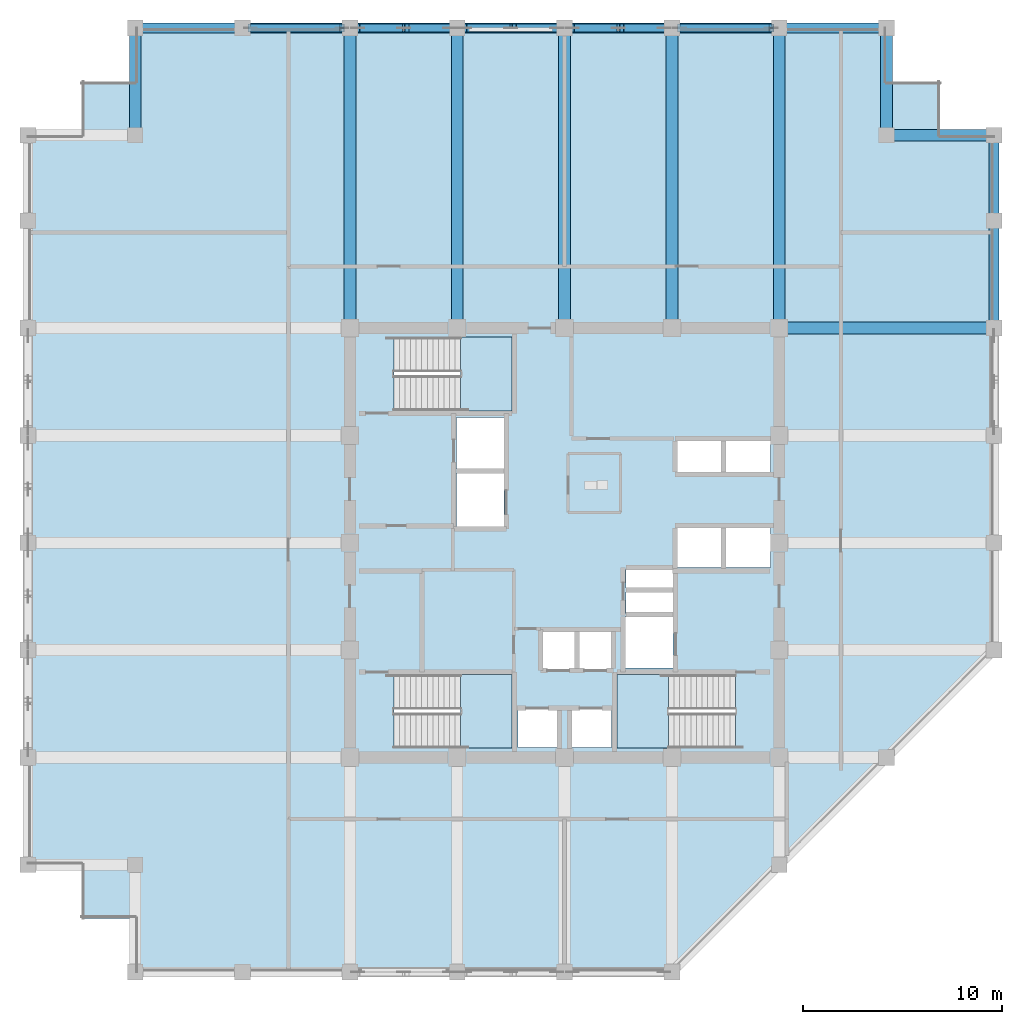
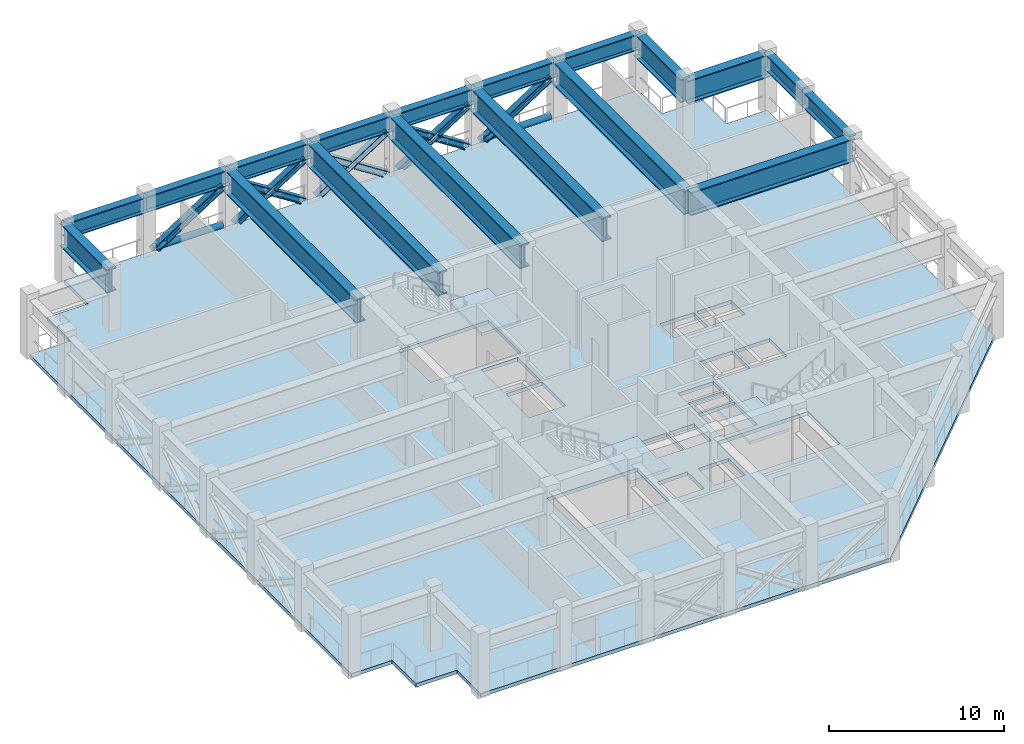
# One storey, part 2 of 11: 18 beams, 13 members, 4 slabs, 3 elements without a shape of their own.
"""IFC4 building model written with IfcOpenShell, lengths in metres."""

from ifc_helpers import new_model, si_unit, direction, frame, origin, origin_2d, place, context, subcontext, project, spatial, polyline, hollow_circle, i_section, outline, extrude, material, layer, layer_set, material_profile, profile_set, type_object, element, aggregate, save


model = new_model("IFC4")

# Units and contexts
model_context = context("Model", 3, precision=1e-05, world=origin(), true_north=direction((0.0, 1.0)))
body_context = subcontext(model_context, "Body", "Model", "MODEL_VIEW")
ifc_project = project(units=[si_unit("LENGTHUNIT", "METRE"), si_unit("AREAUNIT", "SQUARE_METRE"), si_unit("VOLUMEUNIT", "CUBIC_METRE"), si_unit("PLANEANGLEUNIT", "RADIAN"), si_unit("MASSUNIT", "GRAM", prefix="KILO")], contexts=[model_context])

# Site, building, storey
site_placement = place(None, origin())
site = spatial("IfcSite", under=ifc_project, at=site_placement, CompositionType="ELEMENT")
building_placement = place(site_placement, origin())
building = spatial("IfcBuilding", under=site, at=building_placement, Name="Surkhivell Harbour Commons", CompositionType="ELEMENT")
storey_placement = place(building_placement, frame((0.0, 0.0, 254.25)))
storey = spatial("IfcBuildingStorey", under=building, at=storey_placement, Name="L66", CompositionType="ELEMENT", Elevation=254.25)

# Beams
ifc_material_1 = material(Name="Steel S460", Category="steel")
ifc_material_profile_1 = material_profile(ifc_material_1, i_section(OverallWidth=0.5, OverallDepth=1.10009765625, WebThickness=0.028076171875, FlangeThickness=0.054931640625, at=origin_2d()), Name="WPG1100x500x210")
ifc_profile_set_1 = profile_set([ifc_material_profile_1], Name="Steel S460")
beam_type_1 = type_object("IfcBeamType", Name="BM-BLT-1100", PredefinedType="BEAM", material=ifc_profile_set_1)
beam_1_placement = place(storey_placement, frame((-21.60009765625, 25.89990234375, 3.530029296875), z_axis=(1.0, 0.0, 0.0), x_axis=(0.0, 1.0, 0.0)))
element("IfcBeam", 1, at=beam_1_placement, inside=storey, type_object=beam_type_1, Name="L66 Tube Spandrel (-21.6,25.9)", PredefinedType="BEAM", context=body_context, shape_type="SweptSolid", body=[
    extrude(i_section(OverallWidth=0.5, OverallDepth=1.10009765625, WebThickness=0.028076171875, FlangeThickness=0.054931640625, at=origin_2d()), origin(), (0.0, 0.0, 1.0), 5.400146484375),
])
beam_2_placement = place(storey_placement, frame((-16.199951171875, 25.89990234375, 3.530029296875), z_axis=(1.0, 0.0, 0.0), x_axis=(0.0, 1.0, 0.0)))
element("IfcBeam", 2, at=beam_2_placement, inside=storey, type_object=beam_type_1, Name="L66 Tube Spandrel (-16.2,25.9)", PredefinedType="BEAM", context=body_context, shape_type="SweptSolid", body=[
    extrude(i_section(OverallWidth=0.5, OverallDepth=1.10009765625, WebThickness=0.028076171875, FlangeThickness=0.054931640625, at=origin_2d()), origin(), (0.0, 0.0, 1.0), 5.39990234375),
])
beam_3_placement = place(storey_placement, frame((-10.800048828125, 25.89990234375, 3.530029296875), z_axis=(1.0, 0.0, 0.0), x_axis=(0.0, 1.0, 0.0)))
element("IfcBeam", 3, at=beam_3_placement, inside=storey, type_object=beam_type_1, Name="L66 Tube Spandrel (-10.8,25.9)", PredefinedType="BEAM", context=body_context, shape_type="SweptSolid", body=[
    extrude(i_section(OverallWidth=0.5, OverallDepth=1.10009765625, WebThickness=0.028076171875, FlangeThickness=0.054931640625, at=origin_2d()), origin(), (0.0, 0.0, 1.0), 5.400146484375),
])
for number, where, z_axis, x_axis, name in (
    (4, (-5.39990234375, 25.89990234375, 3.530029296875), (1.0, 0.0, 0.0), (0.0, 1.0, 0.0), "L66 Tube Spandrel (-5.4,25.9)"),
    (5, (0.0, 25.89990234375, 3.530029296875), (1.0, 0.0, 0.0), (0.0, 1.0, 0.0), "L66 Tube Spandrel (-0.0,25.9)"),
):
    element("IfcBeam", number, at=place(storey_placement, frame(where, z_axis=z_axis, x_axis=x_axis)), inside=storey, type_object=beam_type_1, Name=name, PredefinedType="BEAM", context=body_context, shape_type="SweptSolid", body=[
        extrude(i_section(OverallWidth=0.5, OverallDepth=1.10009765625, WebThickness=0.028076171875, FlangeThickness=0.054931640625, at=origin_2d()), origin(), (0.0, 0.0, 1.0), 5.39990234375),
    ])
beam_4_placement = place(storey_placement, frame((5.39990234375, 25.89990234375, 3.530029296875), z_axis=(1.0, 0.0, 0.0), x_axis=(0.0, 1.0, 0.0)))
element("IfcBeam", 6, at=beam_4_placement, inside=storey, type_object=beam_type_1, Name="L66 Tube Spandrel (5.4,25.9)", PredefinedType="BEAM", context=body_context, shape_type="SweptSolid", body=[
    extrude(i_section(OverallWidth=0.5, OverallDepth=1.10009765625, WebThickness=0.028076171875, FlangeThickness=0.054931640625, at=origin_2d()), origin(), (0.0, 0.0, 1.0), 5.400146484375),
])
for number, where, z_axis, x_axis, name in (
    (7, (10.800048828125, 25.89990234375, 3.530029296875), (1.0, 0.0, 0.0), (0.0, 1.0, 0.0), "L66 Tube Spandrel (10.8,25.9)"),
    (8, (21.60009765625, 10.800048828125, 3.530029296875), (0.0, 1.0, 0.0), (-1.0, 0.0, 0.0), "L66 Tube Spandrel (21.6,10.8)"),
):
    element("IfcBeam", number, at=place(storey_placement, frame(where, z_axis=z_axis, x_axis=x_axis)), inside=storey, type_object=beam_type_1, Name=name, PredefinedType="BEAM", context=body_context, shape_type="SweptSolid", body=[
        extrude(i_section(OverallWidth=0.5, OverallDepth=1.10009765625, WebThickness=0.028076171875, FlangeThickness=0.054931640625, at=origin_2d()), origin(), (0.0, 0.0, 1.0), 5.39990234375),
    ])
beam_5_placement = place(storey_placement, frame((21.60009765625, 16.199951171875, 3.530029296875), z_axis=(0.0, 1.0, 0.0), x_axis=(-1.0, 0.0, 0.0)))
element("IfcBeam", 9, at=beam_5_placement, inside=storey, type_object=beam_type_1, Name="L66 Tube Spandrel (21.6,16.2)", PredefinedType="BEAM", context=body_context, shape_type="SweptSolid", body=[
    extrude(i_section(OverallWidth=0.5, OverallDepth=1.10009765625, WebThickness=0.028076171875, FlangeThickness=0.054931640625, at=origin_2d()), origin(), (0.0, 0.0, 1.0), 4.300048828125),
])
ifc_material_profile_2 = material_profile(ifc_material_1, i_section(OverallWidth=0.60009765625, OverallDepth=1.60009765625, WebThickness=0.035888671875, FlangeThickness=0.06494140625, at=origin_2d()), Name="WPG1600x600x296")
ifc_profile_set_2 = profile_set([ifc_material_profile_2], Name="Steel S460")
beam_type_2 = type_object("IfcBeamType", Name="BM-TRF-1600", PredefinedType="BEAM", material=ifc_profile_set_2)
beam_6_placement = place(storey_placement, frame((-21.60009765625, 20.5, 3.280029296875), z_axis=(0.0, 1.0, 0.0), x_axis=(-1.0, 0.0, 0.0)))
element("IfcBeam", 10, at=beam_6_placement, inside=storey, type_object=beam_type_2, Name="L66 Floor Girder (-21.6,20.5)", PredefinedType="BEAM", context=body_context, shape_type="SweptSolid", body=[
    extrude(i_section(OverallWidth=0.60009765625, OverallDepth=1.60009765625, WebThickness=0.035888671875, FlangeThickness=0.06494140625, at=origin_2d()), origin(), (0.0, 0.0, 1.0), 5.39990234375),
])
for number, where, z_axis, x_axis, name in (
    (11, (-10.800048828125, 10.800048828125, 3.280029296875), (0.0, 1.0, 0.0), (-1.0, 0.0, 0.0), "L66 Floor Girder (-10.8,10.8)"),
    (12, (-5.39990234375, 10.800048828125, 3.280029296875), (0.0, 1.0, 0.0), (-1.0, 0.0, 0.0), "L66 Floor Girder (-5.4,10.8)"),
    (13, (0.0, 10.800048828125, 3.280029296875), (0.0, 1.0, 0.0), (-1.0, 0.0, 0.0), "L66 Floor Girder (0.0,10.8)"),
    (14, (5.39990234375, 10.800048828125, 3.280029296875), (0.0, 1.0, 0.0), (-1.0, 0.0, 0.0), "L66 Floor Girder (5.4,10.8)"),
    (15, (10.800048828125, 10.800048828125, 3.280029296875), (0.0, 1.0, 0.0), (-1.0, 0.0, 0.0), "L66 Floor Girder (10.8,10.8)"),
):
    element("IfcBeam", number, at=place(storey_placement, frame(where, z_axis=z_axis, x_axis=x_axis)), inside=storey, type_object=beam_type_2, Name=name, PredefinedType="BEAM", context=body_context, shape_type="SweptSolid", body=[
        extrude(i_section(OverallWidth=0.60009765625, OverallDepth=1.60009765625, WebThickness=0.035888671875, FlangeThickness=0.06494140625, at=origin_2d()), origin(), (0.0, 0.0, 1.0), 15.099853515625),
    ])
beam_7_placement = place(storey_placement, frame((10.800048828125, 10.800048828125, 3.280029296875), z_axis=(1.0, 0.0, 0.0), x_axis=(0.0, 1.0, 0.0)))
element("IfcBeam", 16, at=beam_7_placement, inside=storey, type_object=beam_type_2, Name="L66 Floor Girder (10.8,10.8)", PredefinedType="BEAM", context=body_context, shape_type="SweptSolid", body=[
    extrude(i_section(OverallWidth=0.60009765625, OverallDepth=1.60009765625, WebThickness=0.035888671875, FlangeThickness=0.06494140625, at=origin_2d()), origin(), (0.0, 0.0, 1.0), 10.800048828125),
])
beam_8_placement = place(storey_placement, frame((16.199951171875, 20.5, 3.280029296875), z_axis=(0.0, 1.0, 0.0), x_axis=(-1.0, 0.0, 0.0)))
element("IfcBeam", 17, at=beam_8_placement, inside=storey, type_object=beam_type_2, Name="L66 Floor Girder (16.2,20.5)", PredefinedType="BEAM", context=body_context, shape_type="SweptSolid", body=[
    extrude(i_section(OverallWidth=0.60009765625, OverallDepth=1.60009765625, WebThickness=0.035888671875, FlangeThickness=0.06494140625, at=origin_2d()), origin(), (0.0, 0.0, 1.0), 5.39990234375),
])
beam_9_placement = place(storey_placement, frame((16.199951171875, 20.5, 3.280029296875), z_axis=(1.0, 0.0, 0.0), x_axis=(0.0, 1.0, 0.0)))
element("IfcBeam", 18, at=beam_9_placement, inside=storey, type_object=beam_type_2, Name="L66 Floor Girder (16.2,20.5)", PredefinedType="BEAM", context=body_context, shape_type="SweptSolid", body=[
    extrude(i_section(OverallWidth=0.60009765625, OverallDepth=1.60009765625, WebThickness=0.035888671875, FlangeThickness=0.06494140625, at=origin_2d()), origin(), (0.0, 0.0, 1.0), 5.400146484375),
])

# Members
ifc_material_profile_3 = material_profile(ifc_material_1, i_section(OverallWidth=0.406005859375, OverallDepth=0.416015625, WebThickness=0.026611328125, FlangeThickness=0.0390625, at=origin_2d()), Name="HD400x382")
ifc_profile_set_3 = profile_set([ifc_material_profile_3], Name="Steel S460")
member_type_1 = type_object("IfcMemberType", Name="MEM-BLT-BT1", PredefinedType="BRACE", material=ifc_profile_set_3)
member_1_placement = place(storey_placement, frame((-5.014892578125, 25.89990234375, 0.008056640625), z_axis=(0.84122171058, 0.0, 0.54069033064), x_axis=(0.0, 1.0, 0.0)))
element("IfcMember", 19, at=member_1_placement, inside=storey, type_object=member_type_1, Name="L66 Belt-Truss Diagonal BT- 07", PredefinedType="BRACE", context=body_context, shape_type="SweptSolid", body=[
    extrude(i_section(OverallWidth=0.406005859375, OverallDepth=0.416015625, WebThickness=0.026611328125, FlangeThickness=0.0390625, at=origin_2d()), origin(), (0.0, 0.0, 1.0), 5.503662109375),
])
for number, where, z_axis, x_axis, name in (
    (20, (-0.385009765625, 25.89990234375, 0.008056640625), (-0.841234416459, 0.0, 0.540670561955), (0.0, -1.0, 0.0), "L66 Belt-Truss Diagonal BT- 08"),
    (21, (-2.867919921875, 25.89990234375, 1.60400390625), (-0.841234416459, 0.0, 0.540670561955), (0.0, -1.0, 0.0), "L66 Belt-Truss Diagonal BT- 09"),
):
    element("IfcMember", number, at=place(storey_placement, frame(where, z_axis=z_axis, x_axis=x_axis)), inside=storey, type_object=member_type_1, Name=name, PredefinedType="BRACE", context=body_context, shape_type="SweptSolid", body=[
        extrude(i_section(OverallWidth=0.406005859375, OverallDepth=0.416015625, WebThickness=0.026611328125, FlangeThickness=0.0390625, at=origin_2d()), origin(), (0.0, 0.0, 1.0), 2.55224609375),
    ])
member_2_placement = place(storey_placement, frame((0.385009765625, 25.89990234375, 0.008056640625), z_axis=(0.84122171058, 0.0, 0.54069033064), x_axis=(0.0, 1.0, 0.0)))
element("IfcMember", 22, at=member_2_placement, inside=storey, type_object=member_type_1, Name="L66 Belt-Truss Diagonal BT- 10", PredefinedType="BRACE", context=body_context, shape_type="SweptSolid", body=[
    extrude(i_section(OverallWidth=0.406005859375, OverallDepth=0.416015625, WebThickness=0.026611328125, FlangeThickness=0.0390625, at=origin_2d()), origin(), (0.0, 0.0, 1.0), 5.503662109375),
])
for number, where, z_axis, x_axis, name in (
    (23, (5.014892578125, 25.89990234375, 0.008056640625), (-0.841234416459, 0.0, 0.540670561955), (0.0, -1.0, 0.0), "L66 Belt-Truss Diagonal BT- 11"),
    (24, (2.531982421875, 25.89990234375, 1.60400390625), (-0.841234416459, 0.0, 0.540670561955), (0.0, -1.0, 0.0), "L66 Belt-Truss Diagonal BT- 12"),
):
    element("IfcMember", number, at=place(storey_placement, frame(where, z_axis=z_axis, x_axis=x_axis)), inside=storey, type_object=member_type_1, Name=name, PredefinedType="BRACE", context=body_context, shape_type="SweptSolid", body=[
        extrude(i_section(OverallWidth=0.406005859375, OverallDepth=0.416015625, WebThickness=0.026611328125, FlangeThickness=0.0390625, at=origin_2d()), origin(), (0.0, 0.0, 1.0), 2.55224609375),
    ])
member_3_placement = place(storey_placement, frame((-10.4150390625, 25.89990234375, 0.008056640625), z_axis=(0.841234677996, 0.0, 0.540670155027), x_axis=(0.0, 1.0, 0.0)))
element("IfcMember", 25, at=member_3_placement, inside=storey, type_object=member_type_1, Name="L66 Belt-Truss Diagonal BT- 22", PredefinedType="BRACE", context=body_context, shape_type="SweptSolid", body=[
    extrude(i_section(OverallWidth=0.406005859375, OverallDepth=0.416015625, WebThickness=0.026611328125, FlangeThickness=0.0390625, at=origin_2d()), origin(), (0.0, 0.0, 1.0), 5.50390625),
])
for number, where, z_axis, x_axis, name in (
    (26, (-5.784912109375, 25.89990234375, 0.008056640625), (-0.841234416459, 0.0, 0.540670561955), (0.0, -1.0, 0.0), "L66 Belt-Truss Diagonal BT- 23"),
    (27, (-8.26806640625, 25.89990234375, 1.60400390625), (-0.841234416459, 0.0, 0.540670561955), (0.0, -1.0, 0.0), "L66 Belt-Truss Diagonal BT- 24"),
):
    element("IfcMember", number, at=place(storey_placement, frame(where, z_axis=z_axis, x_axis=x_axis)), inside=storey, type_object=member_type_1, Name=name, PredefinedType="BRACE", context=body_context, shape_type="SweptSolid", body=[
        extrude(i_section(OverallWidth=0.406005859375, OverallDepth=0.416015625, WebThickness=0.026611328125, FlangeThickness=0.0390625, at=origin_2d()), origin(), (0.0, 0.0, 1.0), 2.55224609375),
    ])
ifc_material_profile_4 = material_profile(ifc_material_1, hollow_circle(Radius=0.203125, WallThickness=0.02001953125, at=origin_2d()), Name="CHS406x20")
ifc_profile_set_4 = profile_set([ifc_material_profile_4], Name="Steel S460")
member_type_2 = type_object("IfcMemberType", Name="MEM-CHD-CHS406", PredefinedType="CHORD", material=ifc_profile_set_4)
for number, where, z_axis, x_axis, name in (
    (28, (-15.802001953125, 25.89990234375, 0.22998046875), (1.0, 0.0, 0.0), (0.0, 1.0, 0.0), "L66 Outrigger Bottom Chord OC-02"),
    (29, (5.798095703125, 25.89990234375, 0.22998046875), (1.0, 0.0, 0.0), (0.0, 1.0, 0.0), "L66 Outrigger Bottom Chord OC-04"),
):
    element("IfcMember", number, at=place(storey_placement, frame(where, z_axis=z_axis, x_axis=x_axis)), inside=storey, type_object=member_type_2, Name=name, PredefinedType="CHORD", context=body_context, shape_type="SweptSolid", body=[
        extrude(hollow_circle(Radius=0.203125, WallThickness=0.02001953125, at=origin_2d()), origin(), (0.0, 0.0, 1.0), 4.60400390625),
    ])
ifc_material_profile_5 = material_profile(ifc_material_1, i_section(OverallWidth=0.41796875, OverallDepth=0.455078125, WebThickness=0.03759765625, FlangeThickness=0.055908203125, at=origin_2d()), Name="HD400x551")
ifc_profile_set_5 = profile_set([ifc_material_profile_5], Name="Steel S460")
member_type_3 = type_object("IfcMemberType", Name="MEM-OUT-OT1", PredefinedType="BRACE", material=ifc_profile_set_5)
for number, where, z_axis, x_axis, name in (
    (30, (-15.802001953125, 25.89990234375, 0.010009765625), (0.839818589684, 0.0, 0.542867144355), (0.0, 1.0, 0.0), "L66 Outrigger Truss Diagonal OT-01"),
    (31, (5.798095703125, 25.89990234375, 0.010009765625), (0.839818589684, 0.0, 0.542867144355), (0.0, 1.0, 0.0), "L66 Outrigger Truss Diagonal OT-03"),
):
    element("IfcMember", number, at=place(storey_placement, frame(where, z_axis=z_axis, x_axis=x_axis)), inside=storey, type_object=member_type_3, Name=name, PredefinedType="BRACE", context=body_context, shape_type="SweptSolid", body=[
        extrude(i_section(OverallWidth=0.41796875, OverallDepth=0.455078125, WebThickness=0.03759765625, FlangeThickness=0.055908203125, at=origin_2d()), origin(), (0.0, 0.0, 1.0), 5.482177734375),
    ])

# Slab
ifc_material_2 = material(Name="Concrete C50/60", Category="concrete")
ifc_layer_1 = layer(ifc_material_2, 0.25)
ifc_layer_set_1 = layer_set([ifc_layer_1], Name="Concrete C50/60")
slab_type_1 = type_object("IfcSlabType", Name="SLB-POD-250", PredefinedType="FLOOR", material=ifc_layer_set_1)
slab_1_placement = place(storey_placement, frame((0.0, 0.0, -0.25)))
element("IfcSlab", 32, at=slab_1_placement, inside=storey, type_object=slab_type_1, Name="L66 Structural Floor Slab", PredefinedType="FLOOR", context=body_context, shape_type="SweptSolid", body=[
    extrude(outline(polyline([(-21.60009765625, -21.60009765625), (5.39990234375, -21.60009765625), (21.60009765625, -5.39990234375), (21.60009765625, 20.5), (18.89990234375, 20.5), (18.89990234375, 23.199951171875), (16.199951171875, 23.199951171875), (16.199951171875, 25.89990234375), (-21.60009765625, 25.89990234375), (-21.60009765625, 23.199951171875), (-24.300048828125, 23.199951171875), (-24.300048828125, 20.5), (-27.0, 20.5), (-27.0, -16.199951171875), (-24.300048828125, -16.199951171875), (-24.300048828125, -18.89990234375), (-21.60009765625, -18.89990234375), (-21.60009765625, -21.60009765625)]), holes=[polyline([(-8.590087890625, 6.639892578125), (-2.639892578125, 6.639892578125), (-2.639892578125, 10.340087890625), (-8.590087890625, 10.340087890625), (-8.590087890625, 6.639892578125)]), polyline([(8.590087890625, -6.639892578125), (2.639892578125, -6.639892578125), (2.639892578125, -10.340087890625), (8.590087890625, -10.340087890625), (8.590087890625, -6.639892578125)]), polyline([(-8.590087890625, -10.340087890625), (-2.639892578125, -10.340087890625), (-2.639892578125, -6.639892578125), (-8.590087890625, -6.639892578125), (-8.590087890625, -10.340087890625)]), polyline([(5.64990234375, 3.550048828125), (7.89990234375, 3.550048828125), (7.89990234375, 5.14990234375), (5.64990234375, 5.14990234375), (5.64990234375, 3.550048828125)]), polyline([(8.10009765625, 3.550048828125), (10.35009765625, 3.550048828125), (10.35009765625, 5.14990234375), (8.10009765625, 5.14990234375), (8.10009765625, 3.550048828125)]), polyline([(5.64990234375, -1.25), (7.89990234375, -1.25), (7.89990234375, 0.75), (5.64990234375, 0.75), (5.64990234375, -1.25)]), polyline([(8.10009765625, -1.25), (10.35009765625, -1.25), (10.35009765625, 0.75), (8.10009765625, 0.75), (8.10009765625, -1.25)]), polyline([(-1.14990234375, -6.35009765625), (0.550048828125, -6.35009765625), (0.550048828125, -4.449951171875), (-1.14990234375, -4.449951171875), (-1.14990234375, -6.35009765625)]), polyline([(0.679931640625, -6.35009765625), (2.3798828125, -6.35009765625), (2.3798828125, -4.449951171875), (0.679931640625, -4.449951171875), (0.679931640625, -6.35009765625)]), polyline([(-2.35009765625, -10.300048828125), (-0.35009765625, -10.300048828125), (-0.35009765625, -8.39990234375), (-2.35009765625, -8.39990234375), (-2.35009765625, -10.300048828125)]), polyline([(0.35009765625, -10.300048828125), (2.35009765625, -10.300048828125), (2.35009765625, -8.39990234375), (0.35009765625, -8.39990234375), (0.35009765625, -10.300048828125)]), polyline([(-5.449951171875, 3.699951171875), (-3.050048828125, 3.699951171875), (-3.050048828125, 6.300048828125), (-5.449951171875, 6.300048828125), (-5.449951171875, 3.699951171875)]), polyline([(3.050048828125, -6.300048828125), (5.449951171875, -6.300048828125), (5.449951171875, -3.699951171875), (3.050048828125, -3.699951171875), (3.050048828125, -6.300048828125)]), polyline([(-5.449951171875, 0.800048828125), (-3.050048828125, 0.800048828125), (-3.050048828125, 3.5), (-5.449951171875, 3.5), (-5.449951171875, 0.800048828125)]), polyline([(3.10009765625, -3.550048828125), (5.449951171875, -3.550048828125), (5.449951171875, -2.47998046875), (3.10009765625, -2.47998046875), (3.10009765625, -3.550048828125)]), polyline([(3.10009765625, -2.280029296875), (5.449951171875, -2.280029296875), (5.449951171875, -1.35009765625), (3.10009765625, -1.35009765625), (3.10009765625, -2.280029296875)])]), origin(), (0.0, 0.0, 1.0), 0.25),
])

# Stair, slab
ifc_material_3 = material(Name="Precast concrete C45/55", Category="concrete")
stair_type = type_object("IfcStairType", Name="STR-DL-450", PredefinedType="HALF_TURN_STAIR", material=ifc_material_3)
stair_1_placement = place(storey_placement, origin())
stair_1 = element("IfcStair", 33, at=stair_1_placement, inside=storey, type_object=stair_type, Name="L66 Core Exit Stair ST1", PredefinedType="HALF_TURN_STAIR")
ifc_material_4 = material(Name="Reinforced concrete C45/55", Category="concrete")
ifc_layer_2 = layer(ifc_material_4, 0.199951171875)
ifc_layer_set_2 = layer_set([ifc_layer_2], Name="Reinforced concrete C45/55")
slab_type_2 = type_object("IfcSlabType", Name="SLB-ST-LND200", PredefinedType="LANDING", material=ifc_layer_set_2)
slab_2_placement = place(storey_placement, frame((0.0, 0.0, 2.050048828125)))
slab_2 = element("IfcSlab", 34, at=slab_2_placement, type_object=slab_type_2, Name="ST1 landing 1", PredefinedType="LANDING", context=body_context, shape_type="SweptSolid", body=[
    extrude(outline(polyline([(-5.22998046875, 6.639892578125), (-2.639892578125, 6.639892578125), (-2.639892578125, 10.340087890625), (-5.22998046875, 10.340087890625), (-5.22998046875, 6.639892578125)])), origin(), (0.0, 0.0, 1.0), 0.199951171875),
])
aggregate(stair_1, [slab_2])

stair_2_placement = place(storey_placement, origin())
stair_2 = element("IfcStair", 35, at=stair_2_placement, inside=storey, type_object=stair_type, Name="L66 Core Exit Stair ST2", PredefinedType="HALF_TURN_STAIR")
slab_3_placement = place(storey_placement, frame((0.0, 0.0, 2.050048828125)))
slab_3 = element("IfcSlab", 36, at=slab_3_placement, type_object=slab_type_2, Name="ST2 landing 1", PredefinedType="LANDING", context=body_context, shape_type="SweptSolid", body=[
    extrude(outline(polyline([(5.22998046875, -6.639892578125), (2.639892578125, -6.639892578125), (2.639892578125, -10.340087890625), (5.22998046875, -10.340087890625), (5.22998046875, -6.639892578125)])), origin(), (0.0, 0.0, 1.0), 0.199951171875),
])
aggregate(stair_2, [slab_3])

stair_3_placement = place(storey_placement, origin())
stair_3 = element("IfcStair", 37, at=stair_3_placement, inside=storey, type_object=stair_type, Name="L66 Core Exit Stair ST3", PredefinedType="HALF_TURN_STAIR")
slab_4_placement = place(storey_placement, frame((0.0, 0.0, 2.050048828125)))
slab_4 = element("IfcSlab", 38, at=slab_4_placement, type_object=slab_type_2, Name="ST3 landing 1", PredefinedType="LANDING", context=body_context, shape_type="SweptSolid", body=[
    extrude(outline(polyline([(-5.22998046875, -10.340087890625), (-2.639892578125, -10.340087890625), (-2.639892578125, -6.639892578125), (-5.22998046875, -6.639892578125), (-5.22998046875, -10.340087890625)])), origin(), (0.0, 0.0, 1.0), 0.199951171875),
])
aggregate(stair_3, [slab_4])

save(model, "model.ifc")
